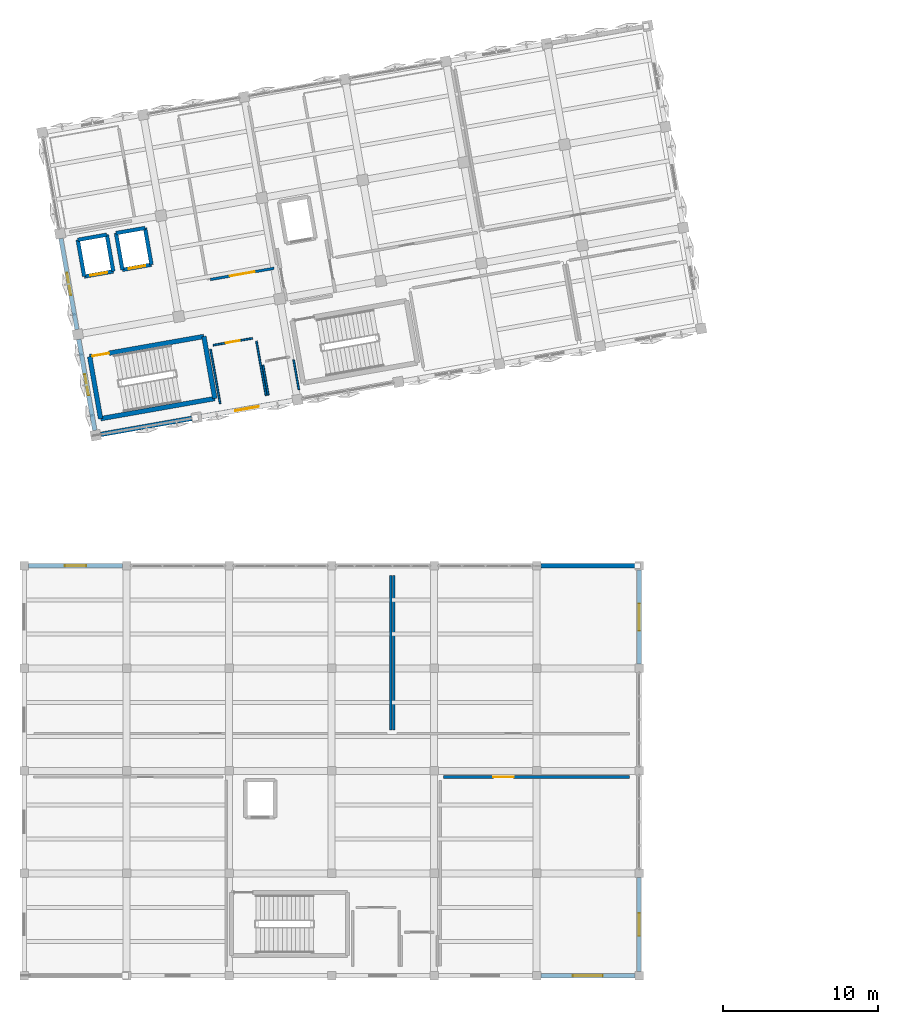
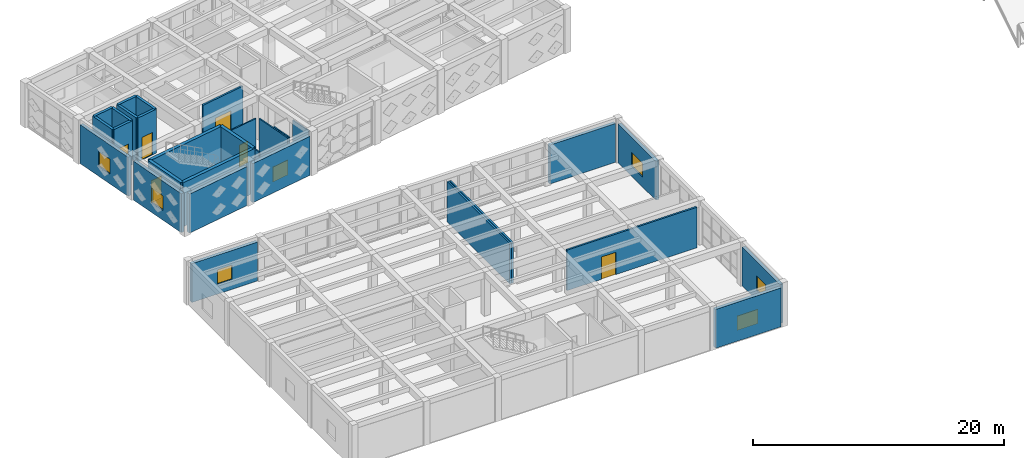
# One storey, part 37 of 48: 30 walls, 7 windows, 6 doors, 13 openings.
"""IFC4 building model written with IfcOpenShell, lengths in metres."""

from ifc_helpers import new_model, si_unit, direction, frame, frame_2d, origin, place, context, subcontext, project, spatial, rectangle, extrude, material, layer, layer_set, type_object, element, fill, save


model = new_model("IFC4")

# Units and contexts
model_context = context("Model", 3, precision=1e-05, world=origin(), true_north=direction((0.0, 1.0)))
body_context = subcontext(model_context, "Body", "Model", "MODEL_VIEW")
ifc_project = project(units=[si_unit("LENGTHUNIT", "METRE"), si_unit("AREAUNIT", "SQUARE_METRE"), si_unit("VOLUMEUNIT", "CUBIC_METRE"), si_unit("PLANEANGLEUNIT", "RADIAN"), si_unit("MASSUNIT", "GRAM", prefix="KILO")], contexts=[model_context])

# Site, building, storey
site_placement = place(None, origin())
site = spatial("IfcSite", under=ifc_project, at=site_placement, CompositionType="ELEMENT")
building_placement = place(site_placement, origin())
building = spatial("IfcBuilding", under=site, at=building_placement, Name="Kharisveld Research Institute", CompositionType="ELEMENT")
storey_placement = place(building_placement, frame((0.0, 0.0, 14.10009765625)))
storey = spatial("IfcBuildingStorey", under=building, at=storey_placement, Name="L03", CompositionType="ELEMENT", Elevation=14.10009765625)

# Walls
ifc_material_1 = material(Name="Flush Pharmaceutical Panel", Category="mineral")
ifc_layer_1 = layer(ifc_material_1, 0.155029296875)
ifc_layer_set_1 = layer_set([ifc_layer_1], Name="WL_CLN_155")
wall_type_1 = type_object("IfcWallType", Name="WL_CLN_155", PredefinedType="PARTITIONING", material=ifc_layer_set_1)
wall_1_placement = place(storey_placement, frame((24.199951171875, 16.02001953125, 0.0), z_axis=(0.0, 0.0, 1.0), x_axis=(0.0, 1.0, 0.0)))
element("IfcWall", 1, at=wall_1_placement, inside=storey, type_object=wall_type_1, Name="WL:RM:V3:L03:CR7:E", PredefinedType="PARTITIONING", context=body_context, shape_type="SweptSolid", body=[
    extrude(rectangle(XDim=9.9599609375, YDim=0.155029296875, at=frame_2d((4.97998046875, 0.0))), origin(), (0.0, 0.0, 1.0), 3.949951171875),
])
ifc_material_2 = material(Name="Concrete C40/50", Category="concrete")
ifc_layer_2 = layer(ifc_material_2, 0.239990234375)
ifc_layer_set_2 = layer_set([ifc_layer_2], Name="WL_CORE_240")
wall_type_2 = type_object("IfcWallType", Name="WL_CORE_240", PredefinedType="SHEAR", material=ifc_layer_set_2)
wall_2_placement = place(storey_placement, frame((4.462890625, 45.2373046875, 0.0), z_axis=(0.0, 0.0, 1.0), x_axis=(-0.173646056486, 0.984808127031, 0.0)))
element("IfcWall", 2, at=wall_2_placement, inside=storey, type_object=wall_type_2, Name="WL:LFT:PL-01:L03:W", PredefinedType="SHEAR", context=body_context, shape_type="SweptSolid", body=[
    extrude(rectangle(XDim=2.39990234375, YDim=0.239990234375, at=frame_2d((1.199951171875, 0.0))), origin(), (0.0, 0.0, 1.0), 4.27978515625),
])
wall_3_placement = place(storey_placement, frame((4.046142578125, 47.600830078125, 0.0), z_axis=(0.0, 0.0, 1.0), x_axis=(0.984793905749, 0.173726691098, 0.0)))
element("IfcWall", 3, at=wall_3_placement, inside=storey, type_object=wall_type_2, Name="WL:LFT:PL-01:L03:N", PredefinedType="SHEAR", context=body_context, shape_type="SweptSolid", body=[
    extrude(rectangle(XDim=1.89990234375, YDim=0.239990234375, at=frame_2d((0.949951171875, 0.0))), origin(), (0.0, 0.0, 1.0), 4.27978515625),
])
wall_4_placement = place(storey_placement, frame((5.917236328125, 47.930908203125, 0.0), z_axis=(0.0, 0.0, 1.0), x_axis=(0.173646056486, -0.984808127031, 0.0)))
element("IfcWall", 4, at=wall_4_placement, inside=storey, type_object=wall_type_2, Name="WL:LFT:PL-01:L03:E", PredefinedType="SHEAR", context=body_context, shape_type="SweptSolid", body=[
    extrude(rectangle(XDim=2.39990234375, YDim=0.239990234375, at=frame_2d((1.199951171875, 0.0))), origin(), (0.0, 0.0, 1.0), 4.27978515625),
])

# Wall, opening, door
wall_5_placement = place(storey_placement, frame((6.333984375, 45.5673828125, 0.0), z_axis=(0.0, 0.0, 1.0), x_axis=(-0.984793905749, -0.173726691098, 0.0)))
wall_5 = element("IfcWall", 5, at=wall_5_placement, inside=storey, type_object=wall_type_2, Name="WL:LFT:PL-01:L03:S", PredefinedType="SHEAR", context=body_context, shape_type="SweptSolid", body=[
    extrude(rectangle(XDim=1.89990234375, YDim=0.239990234375, at=frame_2d((0.949951171875, 0.0))), origin(), (0.0, 0.0, 1.0), 4.27978515625),
])
opening_1_placement = place(wall_5_placement, frame((0.39990234375, 0.0, 0.0)))
opening_1 = element("IfcOpeningElement", 6, at=opening_1_placement, cuts=wall_5, Name="Opening LD-01", PredefinedType="OPENING", context=body_context, shape_type="SweptSolid", body=[
    extrude(rectangle(XDim=1.10009765625, YDim=2.199951171875, at=frame_2d((0.550048828125, 1.10009765625))), frame((0.0, 0.1201171875, 0.0), z_axis=(0.0, -1.0, 0.0), x_axis=(1.0, 0.0, 0.0)), (0.0, 0.0, 1.0), 0.239990234375),
])
ifc_material_3 = material(Name="Flush Painted Hardwood and Anodised Aluminium", Category="wood")
door_type_1 = type_object("IfcDoorType", Name="DR_LFT_110", OperationType="SLIDING_TO_LEFT", PredefinedType="DOOR", material=ifc_material_3)
door_1_placement = place(opening_1_placement, origin())
door_1 = element("IfcDoor", 7, at=door_1_placement, inside=storey, type_object=door_type_1, Name="PL-01 Lift Landing Door L03", OperationType="SLIDING_TO_LEFT", OverallHeight=2.199951171875, OverallWidth=1.10009765625, PredefinedType="DOOR", context=body_context, shape_type="SweptSolid", body=[
    extrude(rectangle(XDim=1.10009765625, YDim=2.199951171875, at=frame_2d((0.550048828125, 1.10009765625))), frame((0.0, 0.02490234375, 0.0), z_axis=(0.0, -1.0, 0.0), x_axis=(1.0, 0.0, 0.0)), (0.0, 0.0, 1.0), 0.050048828125),
])
fill(opening_1, door_1)

# Walls
wall_6_placement = place(storey_placement, frame((6.9248046875, 45.67138671875, 0.0), z_axis=(0.0, 0.0, 1.0), x_axis=(-0.173646056486, 0.984808127031, 0.0)))
element("IfcWall", 8, at=wall_6_placement, inside=storey, type_object=wall_type_2, Name="WL:LFT:PL-02:L03:W", PredefinedType="SHEAR", context=body_context, shape_type="SweptSolid", body=[
    extrude(rectangle(XDim=2.39990234375, YDim=0.239990234375, at=frame_2d((1.199951171875, 0.0))), origin(), (0.0, 0.0, 1.0), 4.27978515625),
])
wall_7_placement = place(storey_placement, frame((6.508056640625, 48.034912109375, 0.0), z_axis=(0.0, 0.0, 1.0), x_axis=(0.984793905749, 0.173726691098, 0.0)))
element("IfcWall", 9, at=wall_7_placement, inside=storey, type_object=wall_type_2, Name="WL:LFT:PL-02:L03:N", PredefinedType="SHEAR", context=body_context, shape_type="SweptSolid", body=[
    extrude(rectangle(XDim=1.89990234375, YDim=0.239990234375, at=frame_2d((0.949951171875, 0.0))), origin(), (0.0, 0.0, 1.0), 4.27978515625),
])
wall_8_placement = place(storey_placement, frame((8.379150390625, 48.364990234375, 0.0), z_axis=(0.0, 0.0, 1.0), x_axis=(0.173646056486, -0.984808127031, 0.0)))
element("IfcWall", 10, at=wall_8_placement, inside=storey, type_object=wall_type_2, Name="WL:LFT:PL-02:L03:E", PredefinedType="SHEAR", context=body_context, shape_type="SweptSolid", body=[
    extrude(rectangle(XDim=2.39990234375, YDim=0.239990234375, at=frame_2d((1.199951171875, 0.0))), origin(), (0.0, 0.0, 1.0), 4.27978515625),
])

# Wall, opening, door
wall_9_placement = place(storey_placement, frame((8.7958984375, 46.00146484375, 0.0), z_axis=(0.0, 0.0, 1.0), x_axis=(-0.984793905749, -0.173726691098, 0.0)))
wall_9 = element("IfcWall", 11, at=wall_9_placement, inside=storey, type_object=wall_type_2, Name="WL:LFT:PL-02:L03:S", PredefinedType="SHEAR", context=body_context, shape_type="SweptSolid", body=[
    extrude(rectangle(XDim=1.89990234375, YDim=0.239990234375, at=frame_2d((0.949951171875, 0.0))), origin(), (0.0, 0.0, 1.0), 4.27978515625),
])
opening_2_placement = place(wall_9_placement, frame((0.39990234375, 0.0, 0.0)))
opening_2 = element("IfcOpeningElement", 12, at=opening_2_placement, cuts=wall_9, Name="Opening LD-01", PredefinedType="OPENING", context=body_context, shape_type="SweptSolid", body=[
    extrude(rectangle(XDim=1.10009765625, YDim=2.199951171875, at=frame_2d((0.550048828125, 1.10009765625))), frame((0.0, 0.1201171875, 0.0), z_axis=(0.0, -1.0, 0.0), x_axis=(1.0, 0.0, 0.0)), (0.0, 0.0, 1.0), 0.239990234375),
])
door_2_placement = place(opening_2_placement, origin())
door_2 = element("IfcDoor", 13, at=door_2_placement, inside=storey, type_object=door_type_1, Name="PL-02 Lift Landing Door L03", OperationType="SLIDING_TO_LEFT", OverallHeight=2.199951171875, OverallWidth=1.10009765625, PredefinedType="DOOR", context=body_context, shape_type="SweptSolid", body=[
    extrude(rectangle(XDim=1.10009765625, YDim=2.199951171875, at=frame_2d((0.550048828125, 1.10009765625))), frame((0.0, 0.02490234375, 0.0), z_axis=(0.0, -1.0, 0.0), x_axis=(1.0, 0.0, 0.0)), (0.0, 0.0, 1.0), 0.050048828125),
])
fill(opening_2, door_2)

# Wall
ifc_material_4 = material(Name="Concrete C40/50", Category="concrete")
ifc_layer_3 = layer(ifc_material_4, 0.300048828125)
ifc_layer_set_3 = layer_set([ifc_layer_3], Name="WL_CORE_300")
wall_type_3 = type_object("IfcWallType", Name="WL_CORE_300", PredefinedType="SHEAR", material=ifc_layer_set_3)
wall_10_placement = place(storey_placement, frame((5.518798828125, 36.08154296875, 0.0), z_axis=(0.0, 0.0, 1.0), x_axis=(-0.173665267602, 0.984804739443, 0.0)))
element("IfcWall", 14, at=wall_10_placement, inside=storey, type_object=wall_type_3, Name="WL:STR:ST1:L03:W", PredefinedType="SHEAR", context=body_context, shape_type="SweptSolid", body=[
    extrude(rectangle(XDim=4.06005859375, YDim=0.300048828125, at=frame_2d((2.030029296875, 0.0))), origin(), (0.0, 0.0, 1.0), 4.27978515625),
])

# Wall, opening, door
wall_11_placement = place(storey_placement, frame((4.813720703125, 40.079833984375, 0.0), z_axis=(0.0, 0.0, 1.0), x_axis=(0.984802636214, 0.173677193974, 0.0)))
wall_11 = element("IfcWall", 15, at=wall_11_placement, inside=storey, type_object=wall_type_3, Name="WL:STR:ST1:L03:N", PredefinedType="SHEAR", context=body_context, shape_type="SweptSolid", body=[
    extrude(rectangle(XDim=7.469970703125, YDim=0.300048828125, at=frame_2d((3.73486328125, 0.0))), origin(), (0.0, 0.0, 1.0), 4.27978515625),
])
opening_3_placement = place(wall_11_placement, frame((0.179931640625, 0.0, 0.0)))
opening_3 = element("IfcOpeningElement", 16, at=opening_3_placement, cuts=wall_11, Name="Opening DS-005", PredefinedType="OPENING", context=body_context, shape_type="SweptSolid", body=[
    extrude(rectangle(XDim=1.080078125, YDim=2.14990234375, at=frame_2d((0.5400390625, 1.074951171875))), frame((0.0, 0.14990234375, 0.0), z_axis=(0.0, -1.0, 0.0), x_axis=(1.0, 0.0, 0.0)), (0.0, 0.0, 1.0), 0.300048828125),
])
ifc_material_5 = material(Name="Flush Painted Hardwood and Anodised Aluminium", Category="wood")
door_type_2 = type_object("IfcDoorType", Name="DR_FD60_108", OperationType="NOTDEFINED", PredefinedType="DOOR", material=ifc_material_5)
door_3_placement = place(opening_3_placement, origin())
door_3 = element("IfcDoor", 17, at=door_3_placement, inside=storey, type_object=door_type_2, Name="DR:STR:ST1:L03", OperationType="SINGLE_SWING_RIGHT", OverallHeight=2.14990234375, OverallWidth=1.080078125, PredefinedType="DOOR", context=body_context, shape_type="SweptSolid", body=[
    extrude(rectangle(XDim=1.080078125, YDim=2.14990234375, at=frame_2d((0.5400390625, 1.074951171875))), frame((0.0, 0.02490234375, 0.0), z_axis=(0.0, -1.0, 0.0), x_axis=(1.0, 0.0, 0.0)), (0.0, 0.0, 1.0), 0.050048828125),
])
fill(opening_3, door_3)

# Walls
wall_12_placement = place(storey_placement, frame((12.170166015625, 41.377197265625, 0.0), z_axis=(0.0, 0.0, 1.0), x_axis=(0.173654983803, -0.984806552883, 0.0)))
element("IfcWall", 18, at=wall_12_placement, inside=storey, type_object=wall_type_3, Name="WL:STR:ST1:L03:E", PredefinedType="SHEAR", context=body_context, shape_type="SweptSolid", body=[
    extrude(rectangle(XDim=4.060302734375, YDim=0.300048828125, at=frame_2d((2.0302734375, 0.0))), origin(), (0.0, 0.0, 1.0), 4.27978515625),
])
wall_13_placement = place(storey_placement, frame((12.875244140625, 37.378662109375, 0.0), z_axis=(0.0, 0.0, 1.0), x_axis=(-0.984808225754, -0.173645496596, 0.0)))
element("IfcWall", 19, at=wall_13_placement, inside=storey, type_object=wall_type_3, Name="WL:STR:ST1:L03:S", PredefinedType="SHEAR", context=body_context, shape_type="SweptSolid", body=[
    extrude(rectangle(XDim=7.469970703125, YDim=0.300048828125, at=frame_2d((3.73486328125, 0.0))), origin(), (0.0, 0.0, 1.0), 4.27978515625),
])

# Wall, opening, window
ifc_material_6 = material(Name="Precast Concrete C40/50 Thermal Wall", Category="concrete")
ifc_layer_4 = layer(ifc_material_6, 0.27490234375)
ifc_layer_set_4 = layer_set([ifc_layer_4], Name="WL_EXT_275")
wall_type_4 = type_object("IfcWallType", Name="WL_EXT_275", PredefinedType="STANDARD", material=ifc_layer_set_4)
wall_14_placement = place(storey_placement, frame((3.998291015625, 41.824951171875, 0.0), z_axis=(0.0, 0.0, 1.0), x_axis=(-0.173645120828, 0.98480829201, 0.0)))
wall_14 = element("IfcWall", 20, at=wall_14_placement, inside=storey, type_object=wall_type_4, Name="WL:V1:L03:W1", PredefinedType="STANDARD", context=body_context, shape_type="SweptSolid", body=[
    extrude(rectangle(XDim=5.9599609375, YDim=0.27490234375, at=frame_2d((2.97998046875, 0.0))), origin(), (0.0, 0.0, 1.0), 3.794921875),
])
opening_4_placement = place(wall_14_placement, frame((2.25, 0.0, 0.949951171875)))
opening_4 = element("IfcOpeningElement", 21, at=opening_4_placement, cuts=wall_14, Name="Opening WN-24", PredefinedType="OPENING", context=body_context, shape_type="SweptSolid", body=[
    extrude(rectangle(XDim=1.4599609375, YDim=1.43994140625, at=frame_2d((0.72998046875, 0.719970703125))), frame((0.0, 0.137451171875, 0.0), z_axis=(0.0, -1.0, 0.0), x_axis=(1.0, 0.0, 0.0)), (0.0, 0.0, 1.0), 0.27490234375),
])
ifc_material_7 = material(Name="Low-E Double Glazing", Category="glass")
window_type_1 = type_object("IfcWindowType", Name="WN_24", PartitioningType="DOUBLE_PANEL_VERTICAL", PredefinedType="WINDOW", material=ifc_material_7)
window_1_placement = place(opening_4_placement, origin())
window_1 = element("IfcWindow", 22, at=window_1_placement, inside=storey, type_object=window_type_1, Name="WN:V1:L03:W1", OverallHeight=1.43994140625, OverallWidth=1.4599609375, PartitioningType="SINGLE_PANEL", PredefinedType="WINDOW", context=body_context, shape_type="SweptSolid", body=[
    extrude(rectangle(XDim=1.4599609375, YDim=1.43994140625, at=frame_2d((0.72998046875, 0.719970703125))), frame((0.0, 0.030029296875, 0.0), z_axis=(0.0, -1.0, 0.0), x_axis=(1.0, 0.0, 0.0)), (0.0, 0.0, 1.0), 0.06005859375),
])
fill(opening_4, window_1)

# Wall
wall_15_placement = place(storey_placement, frame((33.8701171875, 26.60009765625, 0.0), z_axis=(0.0, 0.0, 1.0), x_axis=(1.0, 0.0, 0.0)))
element("IfcWall", 23, at=wall_15_placement, inside=storey, type_object=wall_type_4, Name="WL:V3:L03:N5", PredefinedType="STANDARD", context=body_context, shape_type="SweptSolid", body=[
    extrude(rectangle(XDim=6.059814453125, YDim=0.27490234375, at=frame_2d((3.02978515625, 0.0))), origin(), (0.0, 0.0, 1.0), 3.784912109375),
])

# Wall, opening, window
wall_16_placement = place(storey_placement, frame((40.199951171875, 6.530029296875, 0.0), z_axis=(0.0, 0.0, 1.0), x_axis=(0.0, -1.0, 0.0)))
wall_16 = element("IfcWall", 24, at=wall_16_placement, inside=storey, type_object=wall_type_4, Name="WL:V3:L03:E1", PredefinedType="STANDARD", context=body_context, shape_type="SweptSolid", body=[
    extrude(rectangle(XDim=6.06005859375, YDim=0.27490234375, at=frame_2d((3.030029296875, 0.0))), origin(), (0.0, 0.0, 1.0), 3.784912109375),
])
opening_5_placement = place(wall_16_placement, frame((2.300048828125, 0.0, 0.949951171875)))
opening_5 = element("IfcOpeningElement", 25, at=opening_5_placement, cuts=wall_16, Name="Opening WN-24", PredefinedType="OPENING", context=body_context, shape_type="SweptSolid", body=[
    extrude(rectangle(XDim=1.4599609375, YDim=1.43994140625, at=frame_2d((0.72998046875, 0.719970703125))), frame((0.0, 0.137451171875, 0.0), z_axis=(0.0, -1.0, 0.0), x_axis=(1.0, 0.0, 0.0)), (0.0, 0.0, 1.0), 0.27490234375),
])
window_2_placement = place(opening_5_placement, origin())
window_2 = element("IfcWindow", 26, at=window_2_placement, inside=storey, type_object=window_type_1, Name="WN:V3:L03:E1", OverallHeight=1.43994140625, OverallWidth=1.4599609375, PartitioningType="SINGLE_PANEL", PredefinedType="WINDOW", context=body_context, shape_type="SweptSolid", body=[
    extrude(rectangle(XDim=1.4599609375, YDim=1.43994140625, at=frame_2d((0.72998046875, 0.719970703125))), frame((0.0, 0.030029296875, 0.0), z_axis=(0.0, -1.0, 0.0), x_axis=(1.0, 0.0, 0.0)), (0.0, 0.0, 1.0), 0.06005859375),
])
fill(opening_5, window_2)

ifc_material_8 = material(Name="Precast Concrete C40/50 Thermal Wall", Category="concrete")
ifc_layer_5 = layer(ifc_material_8, 0.2900390625)
ifc_layer_set_5 = layer_set([ifc_layer_5], Name="WL_EXT_290")
wall_type_5 = type_object("IfcWallType", Name="WL_EXT_290", PredefinedType="STANDARD", material=ifc_layer_set_5)
wall_17_placement = place(storey_placement, frame((5.14453125, 35.3251953125, 0.0), z_axis=(0.0, 0.0, 1.0), x_axis=(-0.17368484894, 0.984801286173, 0.0)))
wall_17 = element("IfcWall", 27, at=wall_17_placement, inside=storey, type_object=wall_type_5, Name="WL:V1:L03:W0", PredefinedType="STANDARD", context=body_context, shape_type="SweptSolid", body=[
    extrude(rectangle(XDim=5.9599609375, YDim=0.2900390625, at=frame_2d((2.97998046875, 0.0))), origin(), (0.0, 0.0, 1.0), 3.794921875),
])
opening_6_placement = place(wall_17_placement, frame((2.294921875, 0.0, 0.949951171875)))
opening_6 = element("IfcOpeningElement", 28, at=opening_6_placement, cuts=wall_17, Name="Opening WN-23", PredefinedType="OPENING", context=body_context, shape_type="SweptSolid", body=[
    extrude(rectangle(XDim=1.3701171875, YDim=1.419921875, at=frame_2d((0.68505859375, 0.7099609375))), frame((0.0, 0.14501953125, 0.0), z_axis=(0.0, -1.0, 0.0), x_axis=(1.0, 0.0, 0.0)), (0.0, 0.0, 1.0), 0.2900390625),
])
ifc_material_9 = material(Name="Low-E Double Glazing", Category="glass")
window_type_2 = type_object("IfcWindowType", Name="WN_23", PartitioningType="DOUBLE_PANEL_VERTICAL", PredefinedType="WINDOW", material=ifc_material_9)
window_3_placement = place(opening_6_placement, origin())
window_3 = element("IfcWindow", 29, at=window_3_placement, inside=storey, type_object=window_type_2, Name="WN:V1:L03:W0", OverallHeight=1.419921875, OverallWidth=1.3701171875, PartitioningType="SINGLE_PANEL", PredefinedType="WINDOW", context=body_context, shape_type="SweptSolid", body=[
    extrude(rectangle(XDim=1.3701171875, YDim=1.419921875, at=frame_2d((0.68505859375, 0.7099609375))), frame((0.0, 0.030029296875, 0.0), z_axis=(0.0, -1.0, 0.0), x_axis=(1.0, 0.0, 0.0)), (0.0, 0.0, 1.0), 0.06005859375),
])
fill(opening_6, window_3)

wall_18_placement = place(storey_placement, frame((0.8701171875, 26.60009765625, 0.0), z_axis=(0.0, 0.0, 1.0), x_axis=(1.0, 0.0, 0.0)))
wall_18 = element("IfcWall", 30, at=wall_18_placement, inside=storey, type_object=wall_type_5, Name="WL:V3:L03:N0", PredefinedType="STANDARD", context=body_context, shape_type="SweptSolid", body=[
    extrude(rectangle(XDim=6.059814453125, YDim=0.2900390625, at=frame_2d((3.02978515625, 0.0))), origin(), (0.0, 0.0, 1.0), 3.784912109375),
])
opening_7_placement = place(wall_18_placement, frame((2.344970703125, 0.0, 0.949951171875)))
opening_7 = element("IfcOpeningElement", 31, at=opening_7_placement, cuts=wall_18, Name="Opening WN-23", PredefinedType="OPENING", context=body_context, shape_type="SweptSolid", body=[
    extrude(rectangle(XDim=1.3701171875, YDim=1.419921875, at=frame_2d((0.68505859375, 0.7099609375))), frame((0.0, 0.14501953125, 0.0), z_axis=(0.0, -1.0, 0.0), x_axis=(1.0, 0.0, 0.0)), (0.0, 0.0, 1.0), 0.2900390625),
])
window_4_placement = place(opening_7_placement, origin())
window_4 = element("IfcWindow", 32, at=window_4_placement, inside=storey, type_object=window_type_2, Name="WN:V3:L03:N0", OverallHeight=1.419921875, OverallWidth=1.3701171875, PartitioningType="SINGLE_PANEL", PredefinedType="WINDOW", context=body_context, shape_type="SweptSolid", body=[
    extrude(rectangle(XDim=1.3701171875, YDim=1.419921875, at=frame_2d((0.68505859375, 0.7099609375))), frame((0.0, 0.030029296875, 0.0), z_axis=(0.0, -1.0, 0.0), x_axis=(1.0, 0.0, 0.0)), (0.0, 0.0, 1.0), 0.06005859375),
])
fill(opening_7, window_4)

wall_19_placement = place(storey_placement, frame((40.199951171875, 26.330078125, 0.0), z_axis=(0.0, 0.0, 1.0), x_axis=(0.0, -1.0, 0.0)))
wall_19 = element("IfcWall", 33, at=wall_19_placement, inside=storey, type_object=wall_type_5, Name="WL:V3:L03:E4", PredefinedType="STANDARD", context=body_context, shape_type="SweptSolid", body=[
    extrude(rectangle(XDim=6.06005859375, YDim=0.2900390625, at=frame_2d((3.030029296875, 0.0))), origin(), (0.0, 0.0, 1.0), 3.784912109375),
])
opening_8_placement = place(wall_19_placement, frame((2.1650390625, 0.0, 0.949951171875)))
opening_8 = element("IfcOpeningElement", 34, at=opening_8_placement, cuts=wall_19, Name="Opening WN-27", PredefinedType="OPENING", context=body_context, shape_type="SweptSolid", body=[
    extrude(rectangle(XDim=1.72998046875, YDim=1.360107421875, at=frame_2d((0.864990234375, 0.68017578125))), frame((0.0, 0.14501953125, 0.0), z_axis=(0.0, -1.0, 0.0), x_axis=(1.0, 0.0, 0.0)), (0.0, 0.0, 1.0), 0.2900390625),
])
ifc_material_10 = material(Name="Low-E Double Glazing", Category="glass")
window_type_3 = type_object("IfcWindowType", Name="WN_27", PartitioningType="DOUBLE_PANEL_VERTICAL", PredefinedType="WINDOW", material=ifc_material_10)
window_5_placement = place(opening_8_placement, origin())
window_5 = element("IfcWindow", 35, at=window_5_placement, inside=storey, type_object=window_type_3, Name="WN:V3:L03:E4", OverallHeight=1.360107421875, OverallWidth=1.72998046875, PartitioningType="SINGLE_PANEL", PredefinedType="WINDOW", context=body_context, shape_type="SweptSolid", body=[
    extrude(rectangle(XDim=1.72998046875, YDim=1.360107421875, at=frame_2d((0.864990234375, 0.68017578125))), frame((0.0, 0.030029296875, 0.0), z_axis=(0.0, -1.0, 0.0), x_axis=(1.0, 0.0, 0.0)), (0.0, 0.0, 1.0), 0.06005859375),
])
fill(opening_8, window_5)

ifc_material_11 = material(Name="Precast Concrete C40/50 Ochre Panel", Category="concrete")
ifc_layer_6 = layer(ifc_material_11, 0.304931640625)
ifc_layer_set_6 = layer_set([ifc_layer_6], Name="WL_EXT_305")
wall_type_6 = type_object("IfcWallType", Name="WL_EXT_305", PredefinedType="STANDARD", material=ifc_layer_set_6)
wall_20_placement = place(storey_placement, frame((17.88427734375, 37.24658203125, 0.0), z_axis=(0.0, 0.0, 1.0), x_axis=(-0.98480829201, -0.173645120828, 0.0)))
wall_20 = element("IfcWall", 36, at=wall_20_placement, inside=storey, type_object=wall_type_6, Name="WL:V1:L03:S2", PredefinedType="STANDARD", context=body_context, shape_type="SweptSolid", body=[
    extrude(rectangle(XDim=5.9599609375, YDim=0.304931640625, at=frame_2d((2.97998046875, 0.0))), origin(), (0.0, 0.0, 1.0), 3.794921875),
])
opening_9_placement = place(wall_20_placement, frame((2.205078125, 0.0, 0.949951171875)))
opening_9 = element("IfcOpeningElement", 37, at=opening_9_placement, cuts=wall_20, Name="Opening WN-25", PredefinedType="OPENING", context=body_context, shape_type="SweptSolid", body=[
    extrude(rectangle(XDim=1.550048828125, YDim=1.4599609375, at=frame_2d((0.77490234375, 0.72998046875))), frame((0.0, 0.15234375, 0.0), z_axis=(0.0, -1.0, 0.0), x_axis=(1.0, 0.0, 0.0)), (0.0, 0.0, 1.0), 0.304931640625),
])
ifc_material_12 = material(Name="Low-E Double Glazing", Category="glass")
window_type_4 = type_object("IfcWindowType", Name="WN_25", PartitioningType="DOUBLE_PANEL_VERTICAL", PredefinedType="WINDOW", material=ifc_material_12)
window_6_placement = place(opening_9_placement, origin())
window_6 = element("IfcWindow", 38, at=window_6_placement, inside=storey, type_object=window_type_4, Name="WN:V1:L03:S2", OverallHeight=1.4599609375, OverallWidth=1.550048828125, PartitioningType="SINGLE_PANEL", PredefinedType="WINDOW", context=body_context, shape_type="SweptSolid", body=[
    extrude(rectangle(XDim=1.550048828125, YDim=1.4599609375, at=frame_2d((0.77490234375, 0.72998046875))), frame((0.0, 0.030029296875, 0.0), z_axis=(0.0, -1.0, 0.0), x_axis=(1.0, 0.0, 0.0)), (0.0, 0.0, 1.0), 0.06005859375),
])
fill(opening_9, window_6)

# Wall
wall_21_placement = place(storey_placement, frame((11.384521484375, 36.1005859375, 0.0), z_axis=(0.0, 0.0, 1.0), x_axis=(-0.98480829201, -0.173645120828, 0.0)))
element("IfcWall", 39, at=wall_21_placement, inside=storey, type_object=wall_type_6, Name="WL:V1:L03:S1", PredefinedType="STANDARD", context=body_context, shape_type="SweptSolid", body=[
    extrude(rectangle(XDim=5.9599609375, YDim=0.304931640625, at=frame_2d((2.97998046875, 0.0))), origin(), (0.0, 0.0, 1.0), 3.794921875),
])

# Wall, opening, window
wall_22_placement = place(storey_placement, frame((39.929931640625, 0.199951171875, 0.0), z_axis=(0.0, 0.0, 1.0), x_axis=(-1.0, 0.0, 0.0)))
wall_22 = element("IfcWall", 40, at=wall_22_placement, inside=storey, type_object=wall_type_6, Name="WL:V3:L03:S6", PredefinedType="STANDARD", context=body_context, shape_type="SweptSolid", body=[
    extrude(rectangle(XDim=6.059814453125, YDim=0.304931640625, at=frame_2d((3.02978515625, 0.0))), origin(), (0.0, 0.0, 1.0), 3.784912109375),
])
opening_10_placement = place(wall_22_placement, frame((2.074951171875, 0.0, 0.949951171875)))
opening_10 = element("IfcOpeningElement", 41, at=opening_10_placement, cuts=wall_22, Name="Opening WN-29", PredefinedType="OPENING", context=body_context, shape_type="SweptSolid", body=[
    extrude(rectangle(XDim=1.909912109375, YDim=1.39990234375, at=frame_2d((0.955078125, 0.699951171875))), frame((0.0, 0.15234375, 0.0), z_axis=(0.0, -1.0, 0.0), x_axis=(1.0, 0.0, 0.0)), (0.0, 0.0, 1.0), 0.304931640625),
])
ifc_material_13 = material(Name="Low-E Double Glazing", Category="glass")
window_type_5 = type_object("IfcWindowType", Name="WN_29", PartitioningType="DOUBLE_PANEL_VERTICAL", PredefinedType="WINDOW", material=ifc_material_13)
window_7_placement = place(opening_10_placement, origin())
window_7 = element("IfcWindow", 42, at=window_7_placement, inside=storey, type_object=window_type_5, Name="WN:V3:L03:S6", OverallHeight=1.39990234375, OverallWidth=1.909912109375, PartitioningType="SINGLE_PANEL", PredefinedType="WINDOW", context=body_context, shape_type="SweptSolid", body=[
    extrude(rectangle(XDim=1.909912109375, YDim=1.39990234375, at=frame_2d((0.955078125, 0.699951171875))), frame((0.0, 0.030029296875, 0.0), z_axis=(0.0, -1.0, 0.0), x_axis=(1.0, 0.0, 0.0)), (0.0, 0.0, 1.0), 0.06005859375),
])
fill(opening_10, window_7)

# Wall, opening, door
ifc_material_14 = material(Name="Acoustic Drywall Partition", Category="mineral")
ifc_layer_7 = layer(ifc_material_14, 0.1650390625)
ifc_layer_set_7 = layer_set([ifc_layer_7], Name="WL_LAB_165")
wall_type_7 = type_object("IfcWallType", Name="WL_LAB_165", PredefinedType="PARTITIONING", material=ifc_layer_set_7)
wall_23_placement = place(storey_placement, frame((12.589599609375, 45.045654296875, 0.0), z_axis=(0.0, 0.0, 1.0), x_axis=(0.984805411783, 0.173661454915, 0.0)))
wall_23 = element("IfcWall", 43, at=wall_23_placement, inside=storey, type_object=wall_type_7, Name="WL:RM:V1:L03:N1:S", PredefinedType="PARTITIONING", context=body_context, shape_type="SweptSolid", body=[
    extrude(rectangle(XDim=4.159912109375, YDim=0.1650390625, at=frame_2d((2.080078125, 0.0))), origin(), (0.0, 0.0, 1.0), 3.89501953125),
])
opening_11_placement = place(wall_23_placement, frame((1.280029296875, 0.0, 0.0)))
opening_11 = element("IfcOpeningElement", 44, at=opening_11_placement, cuts=wall_23, Name="Opening DI-096", PredefinedType="OPENING", context=body_context, shape_type="SweptSolid", body=[
    extrude(rectangle(XDim=1.60009765625, YDim=2.06005859375, at=frame_2d((0.800048828125, 1.030029296875))), frame((0.0, 0.08251953125, 0.0), z_axis=(0.0, -1.0, 0.0), x_axis=(1.0, 0.0, 0.0)), (0.0, 0.0, 1.0), 0.1650390625),
])
ifc_material_15 = material(Name="Flush Painted Hardwood and Anodised Aluminium", Category="wood")
door_type_3 = type_object("IfcDoorType", Name="DR_VAR_24", OperationType="NOTDEFINED", PredefinedType="DOOR", material=ifc_material_15)
door_4_placement = place(opening_11_placement, origin())
door_4 = element("IfcDoor", 45, at=door_4_placement, inside=storey, type_object=door_type_3, Name="DR:RM:V1:L03:N1:S", OperationType="SINGLE_SWING_LEFT", OverallHeight=2.06005859375, OverallWidth=1.60009765625, PredefinedType="DOOR", context=body_context, shape_type="SweptSolid", body=[
    extrude(rectangle(XDim=1.60009765625, YDim=2.06005859375, at=frame_2d((0.800048828125, 1.030029296875))), frame((0.0, 0.02490234375, 0.0), z_axis=(0.0, -1.0, 0.0), x_axis=(1.0, 0.0, 0.0)), (0.0, 0.0, 1.0), 0.050048828125),
])
fill(opening_11, door_4)

# Wall
wall_24_placement = place(storey_placement, frame((24.39990234375, 25.97998046875, 0.0), z_axis=(0.0, 0.0, 1.0), x_axis=(0.0, -1.0, 0.0)))
element("IfcWall", 46, at=wall_24_placement, inside=storey, type_object=wall_type_7, Name="WL:RM:V3:L03:MTR:W", PredefinedType="PARTITIONING", context=body_context, shape_type="SweptSolid", body=[
    extrude(rectangle(XDim=9.9599609375, YDim=0.1650390625, at=frame_2d((4.97998046875, 0.0))), origin(), (0.0, 0.0, 1.0), 3.949951171875),
])

# Wall, opening, door
wall_25_placement = place(storey_placement, frame((39.580078125, 13.0, 0.0), z_axis=(0.0, 0.0, 1.0), x_axis=(-1.0, 0.0, 0.0)))
wall_25 = element("IfcWall", 47, at=wall_25_placement, inside=storey, type_object=wall_type_7, Name="WL:RM:V3:L03:SEM:N", PredefinedType="PARTITIONING", context=body_context, shape_type="SweptSolid", body=[
    extrude(rectangle(XDim=11.9599609375, YDim=0.1650390625, at=frame_2d((5.97998046875, 0.0))), origin(), (0.0, 0.0, 1.0), 3.949951171875),
])
opening_12_placement = place(wall_25_placement, frame((7.4619140625, 0.0, 0.0)))
opening_12 = element("IfcOpeningElement", 48, at=opening_12_placement, cuts=wall_25, Name="Opening DI-293", PredefinedType="OPENING", context=body_context, shape_type="SweptSolid", body=[
    extrude(rectangle(XDim=1.300048828125, YDim=2.179931640625, at=frame_2d((0.64990234375, 1.08984375))), frame((0.0, 0.08251953125, 0.0), z_axis=(0.0, -1.0, 0.0), x_axis=(1.0, 0.0, 0.0)), (0.0, 0.0, 1.0), 0.1650390625),
])
ifc_material_16 = material(Name="Flush Painted Hardwood and Anodised Aluminium", Category="wood")
door_type_4 = type_object("IfcDoorType", Name="DR_SEM_130", OperationType="DOUBLE_DOOR_SINGLE_SWING", PredefinedType="DOOR", material=ifc_material_16)
door_5_placement = place(opening_12_placement, origin())
door_5 = element("IfcDoor", 49, at=door_5_placement, inside=storey, type_object=door_type_4, Name="DR:RM:V3:L03:SEM:N", OperationType="DOUBLE_DOOR_SINGLE_SWING", OverallHeight=2.179931640625, OverallWidth=1.300048828125, PredefinedType="DOOR", context=body_context, shape_type="SweptSolid", body=[
    extrude(rectangle(XDim=1.300048828125, YDim=2.179931640625, at=frame_2d((0.64990234375, 1.08984375))), frame((0.0, 0.02490234375, 0.0), z_axis=(0.0, -1.0, 0.0), x_axis=(1.0, 0.0, 0.0)), (0.0, 0.0, 1.0), 0.050048828125),
])
fill(opening_12, door_5)

# Wall
ifc_material_17 = material(Name="Moisture-Resistant Partition", Category="mineral")
ifc_layer_8 = layer(ifc_material_17, 0.114990234375)
ifc_layer_set_8 = layer_set([ifc_layer_8], Name="WL_WC_115")
wall_type_8 = type_object("IfcWallType", Name="WL_WC_115", PredefinedType="PARTITIONING", material=ifc_layer_set_8)
wall_26_placement = place(storey_placement, frame((16.17138671875, 37.57421875, 0.0), z_axis=(0.0, 0.0, 1.0), x_axis=(-0.173644490041, 0.984808403233, 0.0)))
element("IfcWall", 50, at=wall_26_placement, inside=storey, type_object=wall_type_8, Name="WL:RM:V1:L03:WCM:E", PredefinedType="PARTITIONING", context=body_context, shape_type="SweptSolid", body=[
    extrude(rectangle(XDim=3.56005859375, YDim=0.114990234375, at=frame_2d((1.780029296875, 0.0))), origin(), (0.0, 0.0, 1.0), 3.949951171875),
])

# Wall, opening, door
wall_27_placement = place(storey_placement, frame((15.29833984375, 41.258544921875, 0.0), z_axis=(0.0, 0.0, 1.0), x_axis=(-0.984803714572, -0.17367107924, 0.0)))
wall_27 = element("IfcWall", 51, at=wall_27_placement, inside=storey, type_object=wall_type_8, Name="WL:RM:V1:L03:WCM:N", PredefinedType="PARTITIONING", context=body_context, shape_type="SweptSolid", body=[
    extrude(rectangle(XDim=2.559814453125, YDim=0.114990234375, at=frame_2d((1.27978515625, 0.0))), origin(), (0.0, 0.0, 1.0), 3.949951171875),
])
opening_13_placement = place(wall_27_placement, frame((0.830078125, 0.0, 0.0)))
opening_13 = element("IfcOpeningElement", 52, at=opening_13_placement, cuts=wall_27, Name="Opening DI-093", PredefinedType="OPENING", context=body_context, shape_type="SweptSolid", body=[
    extrude(rectangle(XDim=0.89990234375, YDim=2.10009765625, at=frame_2d((0.449951171875, 1.050048828125))), frame((0.0, 0.0576171875, 0.0), z_axis=(0.0, -1.0, 0.0), x_axis=(1.0, 0.0, 0.0)), (0.0, 0.0, 1.0), 0.114990234375),
])
ifc_material_18 = material(Name="Flush Painted Hardwood and Anodised Aluminium", Category="wood")
door_type_5 = type_object("IfcDoorType", Name="DR_WC_090", OperationType="NOTDEFINED", PredefinedType="DOOR", material=ifc_material_18)
door_6_placement = place(opening_13_placement, origin())
door_6 = element("IfcDoor", 53, at=door_6_placement, inside=storey, type_object=door_type_5, Name="DR:RM:V1:L03:WCM:N", OperationType="SINGLE_SWING_RIGHT", OverallHeight=2.10009765625, OverallWidth=0.89990234375, PredefinedType="DOOR", context=body_context, shape_type="SweptSolid", body=[
    extrude(rectangle(XDim=0.89990234375, YDim=2.10009765625, at=frame_2d((0.449951171875, 1.050048828125))), frame((0.0, 0.02490234375, 0.0), z_axis=(0.0, -1.0, 0.0), x_axis=(1.0, 0.0, 0.0)), (0.0, 0.0, 1.0), 0.050048828125),
])
fill(opening_13, door_6)

# Walls
wall_28_placement = place(storey_placement, frame((12.598876953125, 40.55908203125, 0.0), z_axis=(0.0, 0.0, 1.0), x_axis=(0.173644490041, -0.984808403233, 0.0)))
element("IfcWall", 54, at=wall_28_placement, inside=storey, type_object=wall_type_8, Name="WL:RM:V1:L03:WCM:W", PredefinedType="PARTITIONING", context=body_context, shape_type="SweptSolid", body=[
    extrude(rectangle(XDim=3.56005859375, YDim=0.114990234375, at=frame_2d((1.780029296875, 0.0))), origin(), (0.0, 0.0, 1.0), 3.949951171875),
])
wall_29_placement = place(storey_placement, frame((18.288818359375, 37.947509765625, 0.0), z_axis=(0.0, 0.0, 1.0), x_axis=(-0.173643211285, 0.984808628706, 0.0)))
element("IfcWall", 55, at=wall_29_placement, inside=storey, type_object=wall_type_8, Name="WL:RM:V1:L03:WCA:E", PredefinedType="PARTITIONING", context=body_context, shape_type="SweptSolid", body=[
    extrude(rectangle(XDim=1.9599609375, YDim=0.114990234375, at=frame_2d((0.97998046875, 0.0))), origin(), (0.0, 0.0, 1.0), 3.69482421875),
])
wall_30_placement = place(storey_placement, frame((15.978759765625, 39.5302734375, 0.0), z_axis=(0.0, 0.0, 1.0), x_axis=(0.173643211285, -0.984808628706, 0.0)))
element("IfcWall", 56, at=wall_30_placement, inside=storey, type_object=wall_type_8, Name="WL:RM:V1:L03:WCA:W", PredefinedType="PARTITIONING", context=body_context, shape_type="SweptSolid", body=[
    extrude(rectangle(XDim=1.9599609375, YDim=0.114990234375, at=frame_2d((0.97998046875, 0.0))), origin(), (0.0, 0.0, 1.0), 3.949951171875),
])

save(model, "model.ifc")
